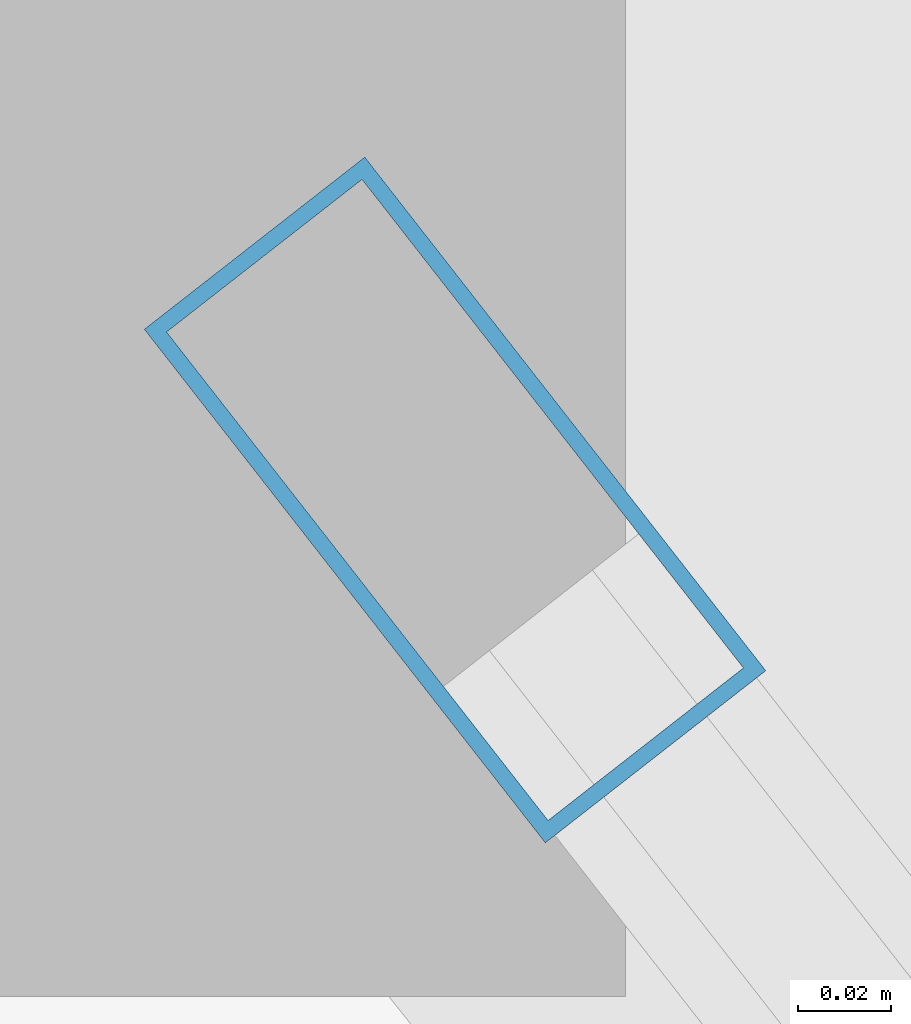
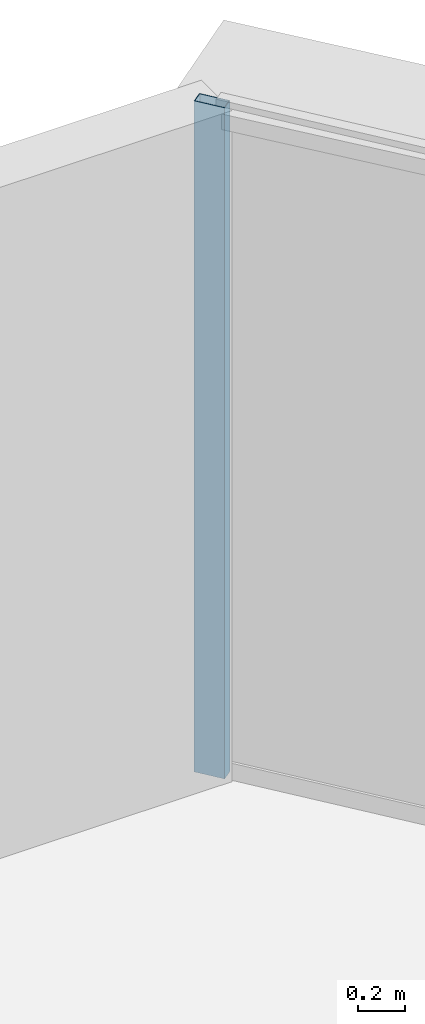
# One storey, part 25 of 37: 1 member, 1 element without a shape of its own.
"""IFC4 building model written with IfcOpenShell, lengths in metres."""

from ifc_helpers import new_model, si_unit, direction, frame, origin, origin_2d, place, context, subcontext, project, spatial, hollow_rectangle, extrude, source, transform, mapped, material, layer, layer_set, material_profile, profile_set, type_object, element, aggregate, save


model = new_model("IFC4")

# Units and contexts
model_context = context("Model", 3, precision=1e-05, world=origin(), true_north=direction((0.0, 1.0)))
body_context = subcontext(model_context, "Body", "Model", "MODEL_VIEW")
ifc_project = project(units=[si_unit("LENGTHUNIT", "METRE"), si_unit("AREAUNIT", "SQUARE_METRE"), si_unit("VOLUMEUNIT", "CUBIC_METRE"), si_unit("PLANEANGLEUNIT", "RADIAN"), si_unit("MASSUNIT", "GRAM", prefix="KILO"), si_unit("THERMODYNAMICTEMPERATUREUNIT", "KELVIN"), si_unit("POWERUNIT", "WATT")], contexts=[model_context])

# Site, building, storey
site_placement = place(None, origin())
site = spatial("IfcSite", under=ifc_project, at=site_placement, CompositionType="ELEMENT")
building_placement = place(site_placement, origin())
building = spatial("IfcBuilding", under=site, at=building_placement, Name="Yunzhuo Pagoda Commons", CompositionType="ELEMENT")
storey_placement = place(building_placement, frame((0.0, 0.0, 255.719970703125)))
storey = spatial("IfcBuildingStorey", under=building, at=storey_placement, Name="L64", CompositionType="ELEMENT", Elevation=255.719970703125)

# Curtain wall, member
ifc_material = material(Name="Anodized aluminium 6063-T6", Category="aluminium")
ifc_layer = layer(ifc_material, 0.139892578125)
ifc_layer_set = layer_set([ifc_layer], Name="Anodized aluminium 6063-T6")
curtain_wall_type = type_object("IfcCurtainWallType", Name="CW-HI High-Zone Ribbon Curtain Wall", PredefinedType="NOTDEFINED", material=ifc_layer_set)
curtain_wall_placement = place(storey_placement, origin())
curtain_wall = element("IfcCurtainWall", 1, at=curtain_wall_placement, inside=storey, type_object=curtain_wall_type, Name="L64 curtain wall CW-L64-F2B5", PredefinedType="NOTDEFINED")
ifc_material_profile = material_profile(ifc_material, hollow_rectangle(XDim=0.06005859375, YDim=0.139892578125, WallThickness=0.00341796875, at=origin_2d()), Name="Anodized aluminium 6063-T6")
ifc_profile_set = profile_set([ifc_material_profile], Name="Anodized aluminium 6063-T6")
member_type = type_object("IfcMemberType", Name="CW-HI-M Mullion RHS 140x60x3.5", PredefinedType="MULLION", material=ifc_profile_set)
shared_shape = source(origin(), body_context, "Body", "SweptSolid", [
    extrude(hollow_rectangle(XDim=0.06005859375, YDim=0.139892578125, WallThickness=0.00341796875, at=origin_2d()), origin(), (0.0, 0.0, 1.0), 3.469970703125),
])
member_placement = place(storey_placement, frame((51.789794921875, 78.773681640625, 0.0), z_axis=(0.0, 0.0, 1.0), x_axis=(-0.788189580024, -0.615432519405, 0.0)))
member = element("IfcMember", 2, at=member_placement, type_object=member_type, Name="CW mullion 2", PredefinedType="MULLION", context=body_context, shape_type="MappedRepresentation", body=[
    mapped(shared_shape, transform((0.0, 0.0, 0.0), scale=1.0)),
])
aggregate(curtain_wall, [member])

save(model, "model.ifc")
